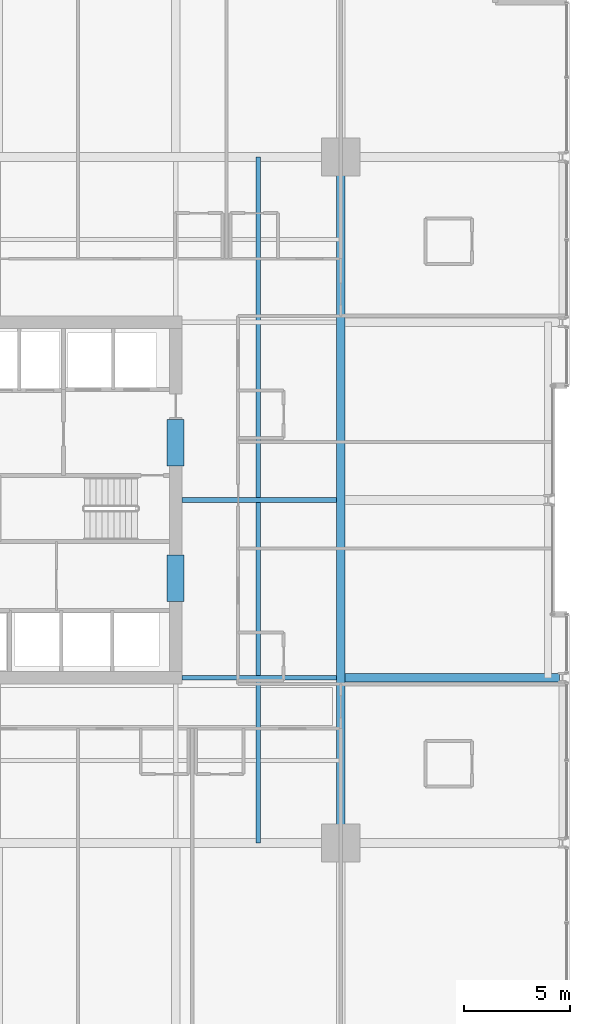
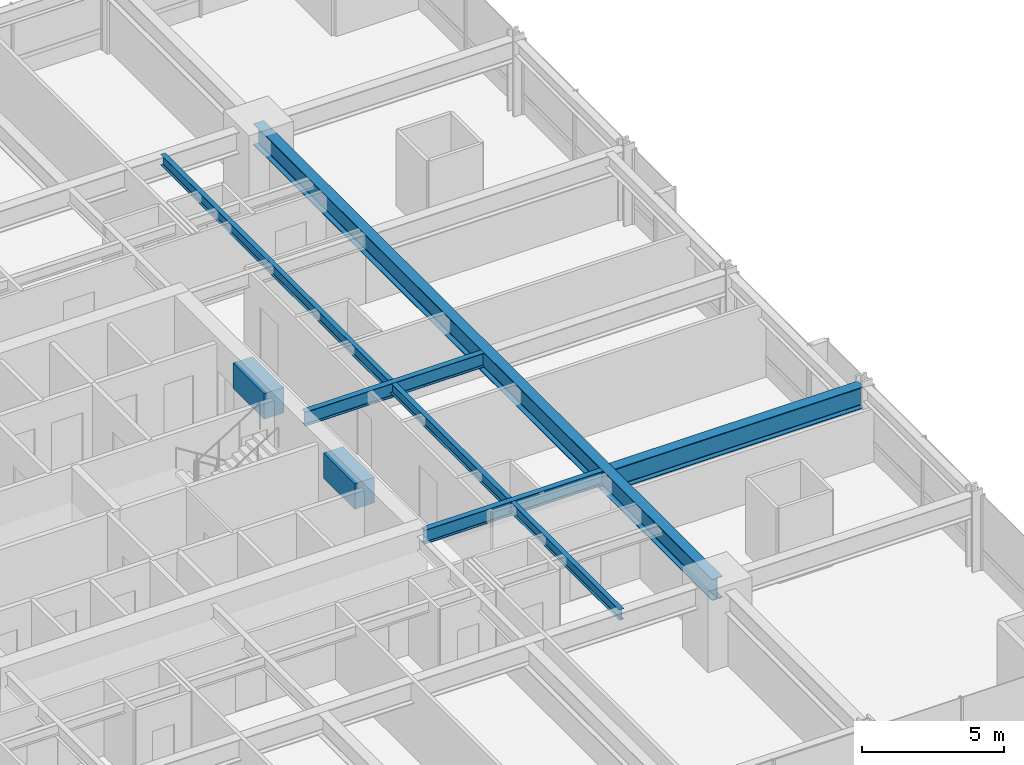
# One storey, part 15 of 38: 7 beams.
"""IFC4 building model written with IfcOpenShell, lengths in metres."""

from ifc_helpers import new_model, si_unit, direction, frame, origin, origin_2d, place, context, subcontext, project, spatial, rectangle, i_section, extrude, material, material_profile, profile_set, type_object, element, save


model = new_model("IFC4")

# Units and contexts
model_context = context("Model", 3, precision=1e-05, world=origin(), true_north=direction((0.0, 1.0)))
body_context = subcontext(model_context, "Body", "Model", "MODEL_VIEW")
ifc_project = project(units=[si_unit("LENGTHUNIT", "METRE"), si_unit("AREAUNIT", "SQUARE_METRE"), si_unit("VOLUMEUNIT", "CUBIC_METRE"), si_unit("PLANEANGLEUNIT", "RADIAN"), si_unit("MASSUNIT", "GRAM", prefix="KILO")], contexts=[model_context])

# Site, building, storey
site_placement = place(None, origin())
site = spatial("IfcSite", under=ifc_project, at=site_placement, CompositionType="ELEMENT")
building_placement = place(site_placement, origin())
building = spatial("IfcBuilding", under=site, at=building_placement, Name="Drelvath Grand Hotel", CompositionType="ELEMENT")
storey_placement = place(building_placement, frame((0.0, 0.0, 57.699951171875)))
storey = spatial("IfcBuildingStorey", under=building, at=storey_placement, Name="L13", CompositionType="ELEMENT", Elevation=57.699951171875)

# Beams
ifc_material_1 = material(Name="Steel ASTM A992 Gr 50", Category="steel")
ifc_material_profile_1 = material_profile(ifc_material_1, i_section(OverallWidth=0.19140625, OverallDepth=0.4599609375, WebThickness=0.010009765625, FlangeThickness=0.01611328125, FilletRadius=0.01611328125, at=origin_2d()), Name="W18X55")
ifc_profile_set_1 = profile_set([ifc_material_profile_1], Name="Steel ASTM A992 Gr 50")
beam_type_1 = type_object("IfcBeamType", Name="Composite Floor Joist W18X55", PredefinedType="JOIST", material=ifc_profile_set_1)
beam_1_placement = place(storey_placement, frame((12.300048828125, 10.800048828125, 3.010009765625), z_axis=(0.0, 1.0, 0.0), x_axis=(-1.0, 0.0, 0.0)))
element("IfcBeam", 1, at=beam_1_placement, inside=storey, type_object=beam_type_1, Name="L13 Wing Floor Joist J4", PredefinedType="JOIST", context=body_context, shape_type="SweptSolid", body=[
    extrude(i_section(OverallWidth=0.19140625, OverallDepth=0.4599609375, WebThickness=0.010009765625, FlangeThickness=0.01611328125, FilletRadius=0.01611328125, at=origin_2d()), origin(), (0.0, 0.0, 1.0), 32.39990234375),
])
ifc_material_2 = material(Name="Concrete f'c 70 MPa", Category="concrete")
ifc_material_profile_2 = material_profile(ifc_material_2, rectangle(XDim=0.800048828125, YDim=1.10009765625, at=origin_2d()), Name="CB800X1100")
ifc_profile_set_2 = profile_set([ifc_material_profile_2], Name="Concrete f'c 70 MPa")
beam_type_2 = type_object("IfcBeamType", Name="Core Coupling Lintel CB800X1100", PredefinedType="LINTEL", material=ifc_profile_set_2)
for number, where, z_axis, x_axis, name in (
    (2, (8.39990234375, 22.199951171875, 2.68994140625), (0.0, 1.0, 0.0), (-1.0, 0.0, 0.0), "L13 Core Coupling Lintel ES"),
    (3, (8.39990234375, 28.60009765625, 2.68994140625), (0.0, 1.0, 0.0), (-1.0, 0.0, 0.0), "L13 Core Coupling Lintel EN"),
):
    element("IfcBeam", number, at=place(storey_placement, frame(where, z_axis=z_axis, x_axis=x_axis)), inside=storey, type_object=beam_type_2, Name=name, PredefinedType="LINTEL", context=body_context, shape_type="SweptSolid", body=[
        extrude(rectangle(XDim=0.800048828125, YDim=1.10009765625, at=origin_2d()), origin(), (0.0, 0.0, 1.0), 2.199951171875),
    ])
ifc_material_profile_3 = material_profile(ifc_material_1, i_section(OverallWidth=0.228271484375, OverallDepth=0.607666015625, WebThickness=0.01123046875, FlangeThickness=0.017333984375, FilletRadius=0.02001953125, at=origin_2d()), Name="W24X76")
ifc_profile_set_3 = profile_set([ifc_material_profile_3], Name="Steel ASTM A992 Gr 50")
beam_type_3 = type_object("IfcBeamType", Name="Primary Floor Girder W24X76", PredefinedType="BEAM", material=ifc_profile_set_3)
for number, where, z_axis, x_axis, name in (
    (4, (8.699951171875, 18.60009765625, 2.936279296875), (1.0, 0.0, 0.0), (0.0, 1.0, 0.0), "L13 East Core Tie D"),
    (5, (8.699951171875, 27.0, 2.936279296875), (1.0, 0.0, 0.0), (0.0, 1.0, 0.0), "L13 East Core Tie E"),
):
    element("IfcBeam", number, at=place(storey_placement, frame(where, z_axis=z_axis, x_axis=x_axis)), inside=storey, type_object=beam_type_3, Name=name, PredefinedType="BEAM", context=body_context, shape_type="SweptSolid", body=[
        extrude(i_section(OverallWidth=0.228271484375, OverallDepth=0.607666015625, WebThickness=0.01123046875, FlangeThickness=0.017333984375, FilletRadius=0.02001953125, at=origin_2d()), origin(), (0.0, 0.0, 1.0), 7.290771484375),
    ])
ifc_material_profile_4 = material_profile(ifc_material_1, i_section(OverallWidth=0.418212890625, OverallDepth=0.926513671875, WebThickness=0.019287109375, FlangeThickness=0.031982421875, FilletRadius=0.028076171875, at=origin_2d()), Name="W36X231")
ifc_profile_set_4 = profile_set([ifc_material_profile_4], Name="Steel ASTM A992 Gr 50")
beam_type_4 = type_object("IfcBeamType", Name="Primary Floor Girder W36X231", PredefinedType="BEAM", material=ifc_profile_set_4)
beam_2_placement = place(storey_placement, frame((16.199951171875, 10.800048828125, 2.77685546875), z_axis=(0.0, 1.0, 0.0), x_axis=(-1.0, 0.0, 0.0)))
element("IfcBeam", 6, at=beam_2_placement, inside=storey, type_object=beam_type_4, Name="L13 Mega Ring Girder East", PredefinedType="BEAM", context=body_context, shape_type="SweptSolid", body=[
    extrude(i_section(OverallWidth=0.418212890625, OverallDepth=0.926513671875, WebThickness=0.019287109375, FlangeThickness=0.031982421875, FilletRadius=0.028076171875, at=origin_2d()), origin(), (0.0, 0.0, 1.0), 32.39990234375),
])
beam_3_placement = place(storey_placement, frame((16.4091796875, 18.60009765625, 2.77685546875), z_axis=(1.0, 0.0, 0.0), x_axis=(0.0, 1.0, 0.0)))
element("IfcBeam", 7, at=beam_3_placement, inside=storey, type_object=beam_type_4, Name="L13 East Wing Girder D", PredefinedType="BEAM", context=body_context, shape_type="SweptSolid", body=[
    extrude(i_section(OverallWidth=0.418212890625, OverallDepth=0.926513671875, WebThickness=0.019287109375, FlangeThickness=0.031982421875, FilletRadius=0.028076171875, at=origin_2d()), origin(), (0.0, 0.0, 1.0), 10.130859375),
])

save(model, "model.ifc")
